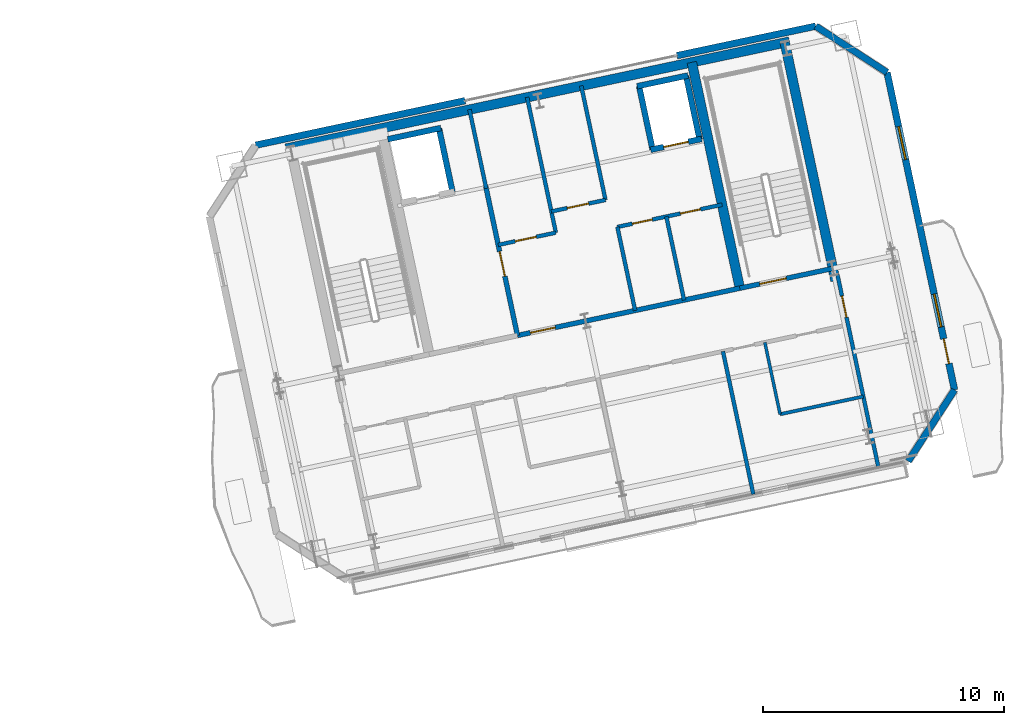
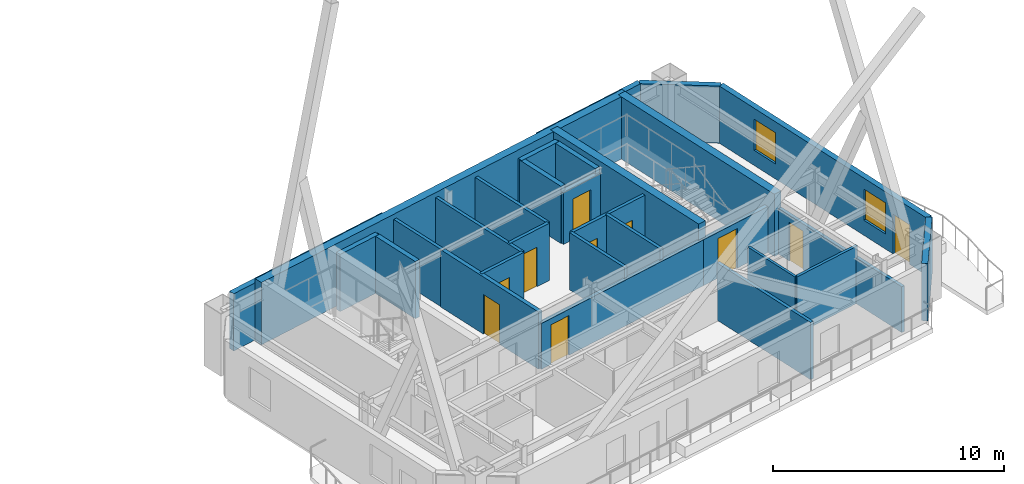
# One storey, part 13 of 19: 29 walls, 10 doors, 2 windows, 12 openings.
"""IFC4 building model written with IfcOpenShell, lengths in metres."""

import ifcopenshell
import ifcopenshell.guid

model = None  # the IFC model being written
_history = None  # IfcOwnerHistory: only IFC2X3 demands one
_inside = {}  # id of a spatial element -> (the spatial element, [elements in it])
_under = {}  # id of a project, library or spatial element -> (it, [spatial elements below it])
_declared = {}  # id of a project -> (the project, [libraries it declares])
_typed = {}  # id of a type object -> (the type object, [elements of that type])
_made_of = {}  # id of a material, layer set ... -> (it, [elements and type objects made of it])


def new_model(schema):
    """Start an empty IFC model of exactly this schema.

    Asked for "IFC4X3", IfcOpenShell would pick the latest addendum, in which some entities
    have other attributes; the version numbers below select the first issue.
    IFC2X3 requires an IfcOwnerHistory on every rooted entity: one is made here for all.
    """
    global model, _history
    if schema == "IFC4X3":
        model = ifcopenshell.file(schema_version=(4, 3, 0, 0))
    else:
        model = ifcopenshell.file(schema=schema)
    _inside.clear()
    _under.clear()
    _declared.clear()
    _typed.clear()
    _made_of.clear()
    _history = None
    if model.schema == "IFC2X3":
        org = make("IfcOrganization", Name="unknown")
        user = make(
            "IfcPersonAndOrganization",
            ThePerson=make("IfcPerson", FamilyName="unknown"),
            TheOrganization=org,
        )
        app = make(
            "IfcApplication",
            ApplicationDeveloper=org,
            Version="unknown",
            ApplicationFullName="unknown",
            ApplicationIdentifier="unknown",
        )
        _history = make(
            "IfcOwnerHistory",
            OwningUser=user,
            OwningApplication=app,
            ChangeAction="ADDED",
            CreationDate=0,
        )
    return model


def make(cls, **values):
    """One entity of the class cls with the attributes given. An attribute that is None is left unset."""
    return model.create_entity(
        cls, **{name: value for name, value in values.items() if value is not None}
    )


def rooted(cls, **values):
    """An entity with a GlobalId (a new one), such as an element, a storey or a relation."""
    return make(cls, GlobalId=ifcopenshell.guid.new(), OwnerHistory=_history, **values)


def si_unit(unit_type, name, prefix=None):
    """IfcSIUnit, for example si_unit("LENGTHUNIT", "METRE", prefix="MILLI")."""
    return make("IfcSIUnit", UnitType=unit_type, Prefix=prefix, Name=name)


def assignment(units):
    """IfcUnitAssignment: the units of a project."""
    return None if units is None else make("IfcUnitAssignment", Units=units)


def point(xyz):
    """IfcCartesianPoint."""
    return None if xyz is None else make("IfcCartesianPoint", Coordinates=xyz)


def direction(xyz):
    """IfcDirection."""
    return None if xyz is None else make("IfcDirection", DirectionRatios=xyz)


def frame(location, z_axis=None, x_axis=None):
    """IfcAxis2Placement3D, a coordinate frame: its origin and axes. An axis left out is left unset."""
    return make(
        "IfcAxis2Placement3D",
        Location=point(location),
        Axis=direction(z_axis),
        RefDirection=direction(x_axis),
    )


def frame_2d(location, x_axis=None):
    """IfcAxis2Placement2D, a coordinate frame in the plane: its origin and x axis."""
    return make(
        "IfcAxis2Placement2D", Location=point(location), RefDirection=direction(x_axis)
    )


def origin():
    """The frame at (0, 0, 0) with its axes left unset."""
    return frame((0.0, 0.0, 0.0))


def place(relative_to, where):
    """IfcLocalPlacement: puts the frame where relative to a parent placement (None: the world)."""
    return make(
        "IfcLocalPlacement", PlacementRelTo=relative_to, RelativePlacement=where
    )


def context(
    kind, dimensions, precision=None, world=None, true_north=None, identifier=None
):
    """IfcGeometricRepresentationContext, for example the 3D "Model" context."""
    return make(
        "IfcGeometricRepresentationContext",
        ContextIdentifier=identifier,
        ContextType=kind,
        CoordinateSpaceDimension=dimensions,
        Precision=precision,
        WorldCoordinateSystem=world,
        TrueNorth=true_north,
    )


def subcontext(parent, identifier, kind, view, scale=None):
    """IfcGeometricRepresentationSubContext, for example "Body" below "Model"."""
    return make(
        "IfcGeometricRepresentationSubContext",
        ContextIdentifier=identifier,
        ContextType=kind,
        ParentContext=parent,
        TargetScale=scale,
        TargetView=view,
    )


def project(units=None, contexts=None):
    """IfcProject with its units and contexts."""
    return rooted(
        "IfcProject",
        Name="project",
        RepresentationContexts=contexts,
        UnitsInContext=assignment(units),
    )


def spatial(cls, under=None, at=None, **own):
    """A site, building, storey or space (cls), placed at a placement, below another one or the project."""
    s = rooted(cls, ObjectPlacement=at, **own)
    if under is not None:
        _under.setdefault(under.id(), (under, []))[1].append(s)
    return s


def profile(cls, at=None, kind="AREA", **sizes):
    """A parametric profile (cls). Its sizes go by their IFC names, for example OverallWidth=200.0."""
    return make(cls, ProfileType=kind, Position=at, **sizes)


def rectangle(**sizes):
    """IfcRectangleProfileDef."""
    return profile("IfcRectangleProfileDef", **sizes)


def extrude(swept, where, along, depth):
    """IfcExtrudedAreaSolid: the profile swept, set in the frame where, extruded along a direction by depth."""
    return make(
        "IfcExtrudedAreaSolid",
        SweptArea=swept,
        Position=where,
        ExtrudedDirection=direction(along),
        Depth=depth,
    )


def shape(context_of_items, identifier, shape_type, items):
    """IfcShapeRepresentation: the items that make up one representation, for example the "Body"."""
    return make(
        "IfcShapeRepresentation",
        ContextOfItems=context_of_items,
        RepresentationIdentifier=identifier,
        RepresentationType=shape_type,
        Items=items,
    )


def material(Name=None, Category=None):
    """IfcMaterial."""
    return make("IfcMaterial", Name=Name, Category=Category)


def layer(
    of_material, thickness, ventilated=None, Name=None, Category=None, Priority=None
):
    """IfcMaterialLayer: one layer of a wall or slab, of a material (None: an air gap)."""
    return make(
        "IfcMaterialLayer",
        Material=of_material,
        LayerThickness=thickness,
        IsVentilated=ventilated,
        Name=Name,
        Category=Category,
        Priority=Priority,
    )


def layer_set(layers, Name=None):
    """IfcMaterialLayerSet."""
    return make("IfcMaterialLayerSet", MaterialLayers=layers, LayerSetName=Name)


def made_of(thing, what):
    """Note that an element or type object is made of a material, layer set ...; save() writes the relation."""
    if what is not None:
        _made_of.setdefault(what.id(), (what, []))[1].append(thing)
    return thing


def type_object(cls, material=None, **own):
    """A type object (cls), such as IfcWallType, which elements share."""
    return made_of(rooted(cls, **own), material)


def element(
    cls,
    number,
    at=None,
    inside=None,
    cuts=None,
    type_object=None,
    material=None,
    context=None,
    identifier="Body",
    shape_type=None,
    held_by="IfcProductDefinitionShape",
    body=None,
    shapes=None,
    **own,
):
    """One element of the class cls, such as IfcWall. Its Tag is "e" and its number.

    at: its placement. inside: the storey or other place that contains it. cuts: it is an
    opening in that element (IfcRelVoidsElement). A single representation is given by context,
    identifier, shape_type and body (its items); several are given by shapes. held_by: the class
    of the entity that holds the representations. save() writes the other relations.
    """
    e = rooted(cls, Tag="e%d" % number, ObjectPlacement=at, **own)
    if body is not None:
        shapes = [shape(context, identifier, shape_type, body)]
    if shapes is not None:
        e.Representation = make(held_by, Representations=shapes)
    if inside is not None:
        _inside.setdefault(inside.id(), (inside, []))[1].append(e)
    if cuts is not None:
        rooted(
            "IfcRelVoidsElement", RelatingBuildingElement=cuts, RelatedOpeningElement=e
        )
    if type_object is not None:
        _typed.setdefault(type_object.id(), (type_object, []))[1].append(e)
    return made_of(e, material)


def fill(opening, filler):
    """IfcRelFillsElement: the door or window that sits in an opening."""
    return rooted(
        "IfcRelFillsElement",
        RelatingOpeningElement=opening,
        RelatedBuildingElement=filler,
    )


def aggregate(whole, parts):
    """IfcRelAggregates: a whole, such as a stair, and the parts it consists of."""
    return rooted("IfcRelAggregates", RelatingObject=whole, RelatedObjects=parts)


def save(model, path):
    """Write the relations noted so far, then the file.

    IfcRelAggregates (storeys below a building ...), IfcRelContainedInSpatialStructure (elements
    in a storey), IfcRelDefinesByType, IfcRelAssociatesMaterial and IfcRelDeclares: one each for
    every whole, place, type object, material and project.
    """
    for whole, parts in _under.values():
        aggregate(whole, parts)
    for where, things in _inside.values():
        rooted(
            "IfcRelContainedInSpatialStructure",
            RelatedElements=things,
            RelatingStructure=where,
        )
    for kind, things in _typed.values():
        rooted("IfcRelDefinesByType", RelatedObjects=things, RelatingType=kind)
    for what, things in _made_of.values():
        rooted("IfcRelAssociatesMaterial", RelatedObjects=things, RelatingMaterial=what)
    for by, libraries in _declared.values():
        rooted("IfcRelDeclares", RelatingContext=by, RelatedDefinitions=libraries)
    model.write(path)


model = new_model("IFC4")

# Units and contexts
model_context = context("Model", 3, precision=1e-05, world=origin(), true_north=direction((0.0, 1.0)))
body_context = subcontext(model_context, "Body", "Model", "MODEL_VIEW")
ifc_project = project(units=[si_unit("LENGTHUNIT", "METRE"), si_unit("AREAUNIT", "SQUARE_METRE"), si_unit("VOLUMEUNIT", "CUBIC_METRE"), si_unit("PLANEANGLEUNIT", "RADIAN"), si_unit("MASSUNIT", "GRAM", prefix="KILO")], contexts=[model_context])

# Site, building, storey
site_placement = place(None, origin())
site = spatial("IfcSite", under=ifc_project, at=site_placement, CompositionType="ELEMENT")
building_placement = place(site_placement, origin())
building = spatial("IfcBuilding", under=site, at=building_placement, Name="Haevon Station Towers", CompositionType="ELEMENT")
storey_placement = place(building_placement, frame((0.0, 0.0, 218.699951171875)))
storey = spatial("IfcBuildingStorey", under=building, at=storey_placement, Name="L60", CompositionType="ELEMENT", Elevation=218.699951171875)

# Wall, opening, door
ifc_material_1 = material(Name="Gypsum board on steel stud", Category="steel")
ifc_layer_1 = layer(ifc_material_1, 0.199951171875)
ifc_layer_set_1 = layer_set([ifc_layer_1], Name="Gypsum board on steel stud")
wall_type_1 = type_object("IfcWallType", Name="WL-COR200", PredefinedType="PARTITIONING", material=ifc_layer_set_1)
wall_1_placement = place(storey_placement, frame((115.4296875, 40.9873046875, 0.0), z_axis=(0.0, 0.0, 1.0), x_axis=(0.978146596989, 0.207916413008, 0.0)))
wall_1 = element("IfcWall", 1, at=wall_1_placement, inside=storey, type_object=wall_type_1, Name="WL-ST-ST4-L60", PredefinedType="PARTITIONING", context=body_context, shape_type="SweptSolid", body=[
    extrude(rectangle(XDim=3.9501953125, YDim=0.199951171875, at=frame_2d((1.97509765625, 0.0))), origin(), (0.0, 0.0, 1.0), 2.429931640625),
])
opening_1_placement = place(wall_1_placement, frame((0.85009765625, 0.0, 0.0)))
opening_1 = element("IfcOpeningElement", 2, at=opening_1_placement, cuts=wall_1, Name="Opening DR-ST-ST4-L60", PredefinedType="OPENING", context=body_context, shape_type="SweptSolid", body=[
    extrude(rectangle(XDim=1.1201171875, YDim=2.10009765625, at=frame_2d((0.56005859375, 1.050048828125))), frame((0.0, 0.10986328125, 0.0), z_axis=(0.0, -1.0, 0.0), x_axis=(1.0, 0.0, 0.0)), (0.0, 0.0, 1.0), 0.219970703125),
])
ifc_material_2 = material(Name="Engineered oak timber", Category="wood")
door_type_1 = type_object("IfcDoorType", Name="DR-ST-1120", OperationType="NOTDEFINED", PredefinedType="DOOR", material=ifc_material_2)
door_1_placement = place(opening_1_placement, origin())
door_1 = element("IfcDoor", 3, at=door_1_placement, inside=storey, type_object=door_type_1, Name="L60 Escape Stair ST4 Fire Door", OperationType="SINGLE_SWING_RIGHT", OverallHeight=2.10009765625, OverallWidth=1.1201171875, PredefinedType="DOOR", context=body_context, shape_type="SweptSolid", body=[
    extrude(rectangle(XDim=1.1201171875, YDim=2.10009765625, at=frame_2d((0.56005859375, 1.050048828125))), frame((0.0, 0.02490234375, 0.0), z_axis=(0.0, -1.0, 0.0), x_axis=(1.0, 0.0, 0.0)), (0.0, 0.0, 1.0), 0.050048828125),
])
fill(opening_1, door_1)

wall_2_placement = place(storey_placement, frame((106.186279296875, 39.0224609375, 0.0), z_axis=(0.0, 0.0, 1.0), x_axis=(-0.207916691923, 0.978146537703, 0.0)))
wall_2 = element("IfcWall", 4, at=wall_2_placement, inside=storey, type_object=wall_type_1, Name="WL-T2FFL-L60-E", PredefinedType="PARTITIONING", context=body_context, shape_type="SweptSolid", body=[
    extrude(rectangle(XDim=6.35009765625, YDim=0.199951171875, at=frame_2d((3.175048828125, 0.0))), origin(), (0.0, 0.0, 1.0), 3.030029296875),
])
opening_2_placement = place(wall_2_placement, frame((2.52001953125, 0.0, 0.0)))
opening_2 = element("IfcOpeningElement", 5, at=opening_2_placement, cuts=wall_2, Name="Opening DR-T2FFL-L60-E", PredefinedType="OPENING", context=body_context, shape_type="SweptSolid", body=[
    extrude(rectangle(XDim=1.050048828125, YDim=2.10009765625, at=frame_2d((0.52490234375, 1.050048828125))), frame((0.0, 0.10986328125, 0.0), z_axis=(0.0, -1.0, 0.0), x_axis=(1.0, 0.0, 0.0)), (0.0, 0.0, 1.0), 0.219970703125),
])
door_type_2 = type_object("IfcDoorType", Name="DR-FD60-1050", OperationType="NOTDEFINED", PredefinedType="DOOR", material=ifc_material_2)
door_2_placement = place(opening_2_placement, origin())
door_2 = element("IfcDoor", 6, at=door_2_placement, inside=storey, type_object=door_type_2, Name="L60 Tower 2 Firefighting Lift Lobby Door E", OperationType="SINGLE_SWING_LEFT", OverallHeight=2.10009765625, OverallWidth=1.050048828125, PredefinedType="DOOR", context=body_context, shape_type="SweptSolid", body=[
    extrude(rectangle(XDim=1.050048828125, YDim=2.10009765625, at=frame_2d((0.52490234375, 1.050048828125))), frame((0.0, 0.02490234375, 0.0), z_axis=(0.0, -1.0, 0.0), x_axis=(1.0, 0.0, 0.0)), (0.0, 0.0, 1.0), 0.050048828125),
])
fill(opening_2, door_2)

wall_3_placement = place(storey_placement, frame((106.186279296875, 39.0224609375, 0.0), z_axis=(0.0, 0.0, 1.0), x_axis=(0.978145519981, 0.20792147975, 0.0)))
wall_3 = element("IfcWall", 7, at=wall_3_placement, inside=storey, type_object=wall_type_1, Name="WL-T2CLB-L60", PredefinedType="PARTITIONING", context=body_context, shape_type="SweptSolid", body=[
    extrude(rectangle(XDim=9.449951171875, YDim=0.199951171875, at=frame_2d((4.72509765625, 0.0))), origin(), (0.0, 0.0, 1.0), 2.429931640625),
])
opening_3_placement = place(wall_3_placement, frame((0.550048828125, 0.0, 0.0)))
opening_3 = element("IfcOpeningElement", 8, at=opening_3_placement, cuts=wall_3, Name="Opening DR-T2CLB-L60-1", PredefinedType="OPENING", context=body_context, shape_type="SweptSolid", body=[
    extrude(rectangle(XDim=1.050048828125, YDim=2.10009765625, at=frame_2d((0.52490234375, 1.050048828125))), frame((0.0, 0.10986328125, 0.0), z_axis=(0.0, -1.0, 0.0), x_axis=(1.0, 0.0, 0.0)), (0.0, 0.0, 1.0), 0.219970703125),
])
door_3_placement = place(opening_3_placement, origin())
door_3 = element("IfcDoor", 9, at=door_3_placement, inside=storey, type_object=door_type_2, Name="L60 Tower 2 Core Lift Lobby Door 1", OperationType="SINGLE_SWING_LEFT", OverallHeight=2.10009765625, OverallWidth=1.050048828125, PredefinedType="DOOR", context=body_context, shape_type="SweptSolid", body=[
    extrude(rectangle(XDim=1.050048828125, YDim=2.10009765625, at=frame_2d((0.52490234375, 1.050048828125))), frame((0.0, 0.02490234375, 0.0), z_axis=(0.0, -1.0, 0.0), x_axis=(1.0, 0.0, 0.0)), (0.0, 0.0, 1.0), 0.050048828125),
])
fill(opening_3, door_3)

# Walls
ifc_material_3 = material(Name="Concrete C60/75", Category="concrete")
ifc_layer_2 = layer(ifc_material_3, 0.39990234375)
ifc_layer_set_2 = layer_set([ifc_layer_2], Name="Concrete C60/75")
wall_type_2 = type_object("IfcWallType", Name="WL-CR400", PredefinedType="SHEAR", material=ifc_layer_set_2)
wall_4_placement = place(storey_placement, frame((96.560791015625, 46.791015625, 0.0), z_axis=(0.0, 0.0, 1.0), x_axis=(0.978148498705, 0.207907466152, 0.0)))
element("IfcWall", 10, at=wall_4_placement, inside=storey, type_object=wall_type_2, Name="WL-T2CR-L60-N", PredefinedType="SHEAR", context=body_context, shape_type="SweptSolid", body=[
    extrude(rectangle(XDim=21.39990234375, YDim=0.39990234375, at=frame_2d((10.699951171875, 0.0))), origin(), (0.0, 0.0, 1.0), 3.300048828125),
])
wall_5_placement = place(storey_placement, frame((119.401611328125, 41.2998046875, 0.0), z_axis=(0.0, 0.0, 1.0), x_axis=(-0.207904342798, 0.978149162575, 0.0)))
element("IfcWall", 11, at=wall_5_placement, inside=storey, type_object=wall_type_2, Name="WL-T2CR-L60-E", PredefinedType="SHEAR", context=body_context, shape_type="SweptSolid", body=[
    extrude(rectangle(XDim=10.1201171875, YDim=0.39990234375, at=frame_2d((5.06005859375, 0.0))), origin(), (0.0, 0.0, 1.0), 3.300048828125),
])
wall_6_placement = place(storey_placement, frame((115.4296875, 40.9873046875, 0.0), z_axis=(0.0, 0.0, 1.0), x_axis=(-0.207903162969, 0.978149413345, 0.0)))
element("IfcWall", 12, at=wall_6_placement, inside=storey, type_object=wall_type_2, Name="WL-T2CR-L60-M2", PredefinedType="SHEAR", context=body_context, shape_type="SweptSolid", body=[
    extrude(rectangle(XDim=9.599853515625, YDim=0.39990234375, at=frame_2d((4.7998046875, 0.0))), origin(), (0.0, 0.0, 1.0), 3.300048828125),
])
ifc_material_4 = material(Name="Precast concrete C45/55", Category="concrete")
ifc_layer_3 = layer(ifc_material_4, 0.280029296875)
ifc_layer_set_3 = layer_set([ifc_layer_3], Name="Precast concrete C45/55")
wall_type_3 = type_object("IfcWallType", Name="WL-EXT-PIER280", PredefinedType="SOLIDWALL", material=ifc_layer_set_3)
wall_7_placement = place(storey_placement, frame((95.3037109375, 46.932861328125, 0.0), z_axis=(0.0, 0.0, 1.0), x_axis=(0.97814950791, 0.207902718056, 0.0)))
element("IfcWall", 13, at=wall_7_placement, inside=storey, type_object=wall_type_3, Name="WL-T2-L60-N1", PredefinedType="SOLIDWALL", context=body_context, shape_type="SweptSolid", body=[
    extrude(rectangle(XDim=8.900146484375, YDim=0.280029296875, at=frame_2d((4.4501953125, 0.0))), origin(), (0.0, 0.0, 1.0), 3.030029296875),
])
wall_8_placement = place(storey_placement, frame((112.812744140625, 50.654541015625, 0.0), z_axis=(0.0, 0.0, 1.0), x_axis=(0.978151067813, 0.207895378826, 0.0)))
element("IfcWall", 14, at=wall_8_placement, inside=storey, type_object=wall_type_3, Name="WL-T2-L60-N2", PredefinedType="SOLIDWALL", context=body_context, shape_type="SweptSolid", body=[
    extrude(rectangle(XDim=5.89990234375, YDim=0.280029296875, at=frame_2d((2.949951171875, 0.0))), origin(), (0.0, 0.0, 1.0), 3.030029296875),
])
wall_9_placement = place(storey_placement, frame((118.583740234375, 51.881103515625, 0.0), z_axis=(0.0, 0.0, 1.0), x_axis=(0.838672309694, -0.544636352948, 0.0)))
element("IfcWall", 15, at=wall_9_placement, inside=storey, type_object=wall_type_3, Name="WL-T2-L60-NEC", PredefinedType="SOLIDWALL", context=body_context, shape_type="SweptSolid", body=[
    extrude(rectangle(XDim=3.535400390625, YDim=0.280029296875, at=frame_2d((1.767578125, 0.0))), origin(), (0.0, 0.0, 1.0), 3.030029296875),
])

# Wall, openings, door, windows
wall_10_placement = place(storey_placement, frame((121.548828125, 49.95556640625, 0.0), z_axis=(0.0, 0.0, 1.0), x_axis=(0.207907239961, -0.978148546782, 0.0)))
wall_10 = element("IfcWall", 16, at=wall_10_placement, inside=storey, type_object=wall_type_3, Name="WL-T2-L60-E", PredefinedType="SOLIDWALL", context=body_context, shape_type="SweptSolid", body=[
    extrude(rectangle(XDim=13.489990234375, YDim=0.280029296875, at=frame_2d((6.7451171875, 0.0))), origin(), (0.0, 0.0, 1.0), 3.030029296875),
])
opening_4_placement = place(wall_10_placement, frame((11.320068359375, 0.0, 0.0)))
opening_4 = element("IfcOpeningElement", 17, at=opening_4_placement, cuts=wall_10, Name="Opening DR-T2-SCAL-L60-E", PredefinedType="OPENING", context=body_context, shape_type="SweptSolid", body=[
    extrude(rectangle(XDim=1.050048828125, YDim=2.10009765625, at=frame_2d((0.52490234375, 1.050048828125))), frame((0.0, 0.14990234375, 0.0), z_axis=(0.0, -1.0, 0.0), x_axis=(1.0, 0.0, 0.0)), (0.0, 0.0, 1.0), 0.300048828125),
])
opening_5_placement = place(wall_10_placement, frame((2.298583984375, 0.0, 0.800048828125)))
opening_5 = element("IfcOpeningElement", 18, at=opening_5_placement, cuts=wall_10, Name="Opening WN-END140", PredefinedType="OPENING", context=body_context, shape_type="SweptSolid", body=[
    extrude(rectangle(XDim=1.39990234375, YDim=1.64990234375, at=frame_2d((0.699951171875, 0.824951171875))), frame((0.0, 0.14990234375, 0.0), z_axis=(0.0, -1.0, 0.0), x_axis=(1.0, 0.0, 0.0)), (0.0, 0.0, 1.0), 0.300048828125),
])
opening_6_placement = place(wall_10_placement, frame((9.416748046875, 0.0, 0.800048828125)))
opening_6 = element("IfcOpeningElement", 19, at=opening_6_placement, cuts=wall_10, Name="Opening WN-END140", PredefinedType="OPENING", context=body_context, shape_type="SweptSolid", body=[
    extrude(rectangle(XDim=1.39990234375, YDim=1.64990234375, at=frame_2d((0.699951171875, 0.824951171875))), frame((0.0, 0.14990234375, 0.0), z_axis=(0.0, -1.0, 0.0), x_axis=(1.0, 0.0, 0.0)), (0.0, 0.0, 1.0), 0.300048828125),
])
ifc_material_5 = material(Name="Thermally broken anodised aluminium and laminated safety glass", Category="aluminium")
door_type_3 = type_object("IfcDoorType", Name="DR-BALC-1050", OperationType="NOTDEFINED", PredefinedType="DOOR", material=ifc_material_5)
door_4_placement = place(opening_4_placement, origin())
door_4 = element("IfcDoor", 20, at=door_4_placement, inside=storey, type_object=door_type_3, Name="Tower 2 L60 East Scalloped Balcony Door", OperationType="SINGLE_SWING_LEFT", OverallHeight=2.10009765625, OverallWidth=1.050048828125, PredefinedType="DOOR", context=body_context, shape_type="SweptSolid", body=[
    extrude(rectangle(XDim=1.050048828125, YDim=2.10009765625, at=frame_2d((0.52490234375, 1.050048828125))), frame((0.0, 0.02490234375, 0.0), z_axis=(0.0, -1.0, 0.0), x_axis=(1.0, 0.0, 0.0)), (0.0, 0.0, 1.0), 0.050048828125),
])
fill(opening_4, door_4)
ifc_material_6 = material(Name="Low-E triple glazing in thermally broken aluminium", Category="aluminium")
window_type = type_object("IfcWindowType", Name="WN-END140", PartitioningType="SINGLE_PANEL", PredefinedType="WINDOW", material=ifc_material_6)
window_1_placement = place(opening_5_placement, origin())
window_1 = element("IfcWindow", 21, at=window_1_placement, inside=storey, type_object=window_type, Name="WN-T2-L60-E01", OverallHeight=1.64990234375, OverallWidth=1.39990234375, PartitioningType="SINGLE_PANEL", PredefinedType="WINDOW", context=body_context, shape_type="SweptSolid", body=[
    extrude(rectangle(XDim=1.39990234375, YDim=1.64990234375, at=frame_2d((0.699951171875, 0.824951171875))), frame((0.0, 0.030029296875, 0.0), z_axis=(0.0, -1.0, 0.0), x_axis=(1.0, 0.0, 0.0)), (0.0, 0.0, 1.0), 0.06005859375),
])
fill(opening_5, window_1)
window_2_placement = place(opening_6_placement, origin())
window_2 = element("IfcWindow", 22, at=window_2_placement, inside=storey, type_object=window_type, Name="WN-T2-L60-E02", OverallHeight=1.64990234375, OverallWidth=1.39990234375, PartitioningType="SINGLE_PANEL", PredefinedType="WINDOW", context=body_context, shape_type="SweptSolid", body=[
    extrude(rectangle(XDim=1.39990234375, YDim=1.64990234375, at=frame_2d((0.699951171875, 0.824951171875))), frame((0.0, 0.030029296875, 0.0), z_axis=(0.0, -1.0, 0.0), x_axis=(1.0, 0.0, 0.0)), (0.0, 0.0, 1.0), 0.06005859375),
])
fill(opening_6, window_2)

# Walls
wall_11_placement = place(storey_placement, frame((124.353515625, 36.76025390625, 0.0), z_axis=(0.0, 0.0, 1.0), x_axis=(-0.544636352948, -0.838672309694, 0.0)))
element("IfcWall", 23, at=wall_11_placement, inside=storey, type_object=wall_type_3, Name="WL-T2-L60-SEC", PredefinedType="SOLIDWALL", context=body_context, shape_type="SweptSolid", body=[
    extrude(rectangle(XDim=3.535400390625, YDim=0.280029296875, at=frame_2d((1.767578125, 0.0))), origin(), (0.0, 0.0, 1.0), 3.030029296875),
])
ifc_layer_4 = layer(ifc_material_1, 0.125)
ifc_layer_set_4 = layer_set([ifc_layer_4], Name="Gypsum board on steel stud")
wall_type_4 = type_object("IfcWallType", Name="WL-PRT125", PredefinedType="PARTITIONING", material=ifc_layer_set_4)
wall_12_placement = place(storey_placement, frame((117.1025390625, 35.750732421875, 0.0), z_axis=(0.0, 0.0, 1.0), x_axis=(-0.207877902534, 0.978154782045, 0.0)))
element("IfcWall", 24, at=wall_12_placement, inside=storey, type_object=wall_type_4, Name="WL-T2PT-L60-11", PredefinedType="PARTITIONING", context=body_context, shape_type="SweptSolid", body=[
    extrude(rectangle(XDim=3.050048828125, YDim=0.125, at=frame_2d((1.52490234375, 0.0))), origin(), (0.0, 0.0, 1.0), 3.030029296875),
])
ifc_layer_5 = layer(ifc_material_1, 0.139892578125)
ifc_layer_set_5 = layer_set([ifc_layer_5], Name="Gypsum board on steel stud")
wall_type_5 = type_object("IfcWallType", Name="WL-PRT140", PredefinedType="PARTITIONING", material=ifc_layer_set_5)
wall_13_placement = place(storey_placement, frame((117.1025390625, 35.750732421875, 0.0), z_axis=(0.0, 0.0, 1.0), x_axis=(0.978155518159, 0.207874438771, 0.0)))
element("IfcWall", 25, at=wall_13_placement, inside=storey, type_object=wall_type_5, Name="WL-T2PT-L60-10", PredefinedType="PARTITIONING", context=body_context, shape_type="SweptSolid", body=[
    extrude(rectangle(XDim=3.53759765625, YDim=0.139892578125, at=frame_2d((1.768798828125, 0.0))), origin(), (0.0, 0.0, 1.0), 3.030029296875),
])
ifc_layer_6 = layer(ifc_material_1, 0.159912109375)
ifc_layer_set_6 = layer_set([ifc_layer_6], Name="Gypsum board on steel stud")
wall_type_6 = type_object("IfcWallType", Name="WL-PRT160", PredefinedType="PARTITIONING", material=ifc_layer_set_6)
wall_14_placement = place(storey_placement, frame((104.88671875, 45.135986328125, 0.0), z_axis=(0.0, 0.0, 1.0), x_axis=(-0.207846553267, 0.978161443881, 0.0)))
element("IfcWall", 26, at=wall_14_placement, inside=storey, type_object=wall_type_6, Name="WL-T2CW-L60-01", PredefinedType="PARTITIONING", context=body_context, shape_type="SweptSolid", body=[
    extrude(rectangle(XDim=3.35009765625, YDim=0.159912109375, at=frame_2d((1.675048828125, 0.0))), origin(), (0.0, 0.0, 1.0), 3.030029296875),
])

# Wall, opening, door
wall_15_placement = place(storey_placement, frame((105.3857421875, 42.788330078125, 0.0), z_axis=(0.0, 0.0, 1.0), x_axis=(0.978136559131, 0.207963630695, 0.0)))
wall_15 = element("IfcWall", 27, at=wall_15_placement, inside=storey, type_object=wall_type_6, Name="WL-T2CW-L60-02", PredefinedType="PARTITIONING", context=body_context, shape_type="SweptSolid", body=[
    extrude(rectangle(XDim=2.449951171875, YDim=0.159912109375, at=frame_2d((1.22509765625, 0.0))), origin(), (0.0, 0.0, 1.0), 3.030029296875),
])
opening_7_placement = place(wall_15_placement, frame((0.719970703125, 0.0, 0.0)))
opening_7 = element("IfcOpeningElement", 28, at=opening_7_placement, cuts=wall_15, Name="Opening DR-WL-T2CW-L60-02-1", PredefinedType="OPENING", context=body_context, shape_type="SweptSolid", body=[
    extrude(rectangle(XDim=0.89990234375, YDim=2.10009765625, at=frame_2d((0.449951171875, 1.050048828125))), frame((0.0, 0.08984375, 0.0), z_axis=(0.0, -1.0, 0.0), x_axis=(1.0, 0.0, 0.0)), (0.0, 0.0, 1.0), 0.179931640625),
])
door_type_4 = type_object("IfcDoorType", Name="DR-FD60-900", OperationType="NOTDEFINED", PredefinedType="DOOR", material=ifc_material_2)
door_5_placement = place(opening_7_placement, origin())
door_5 = element("IfcDoor", 29, at=door_5_placement, inside=storey, type_object=door_type_4, Name="L60 Tower 2 Core Room Door 2-1", OperationType="SINGLE_SWING_RIGHT", OverallHeight=2.10009765625, OverallWidth=0.89990234375, PredefinedType="DOOR", context=body_context, shape_type="SweptSolid", body=[
    extrude(rectangle(XDim=0.89990234375, YDim=2.10009765625, at=frame_2d((0.449951171875, 1.050048828125))), frame((0.0, 0.02490234375, 0.0), z_axis=(0.0, -1.0, 0.0), x_axis=(1.0, 0.0, 0.0)), (0.0, 0.0, 1.0), 0.050048828125),
])
fill(opening_7, door_5)

# Wall
wall_16_placement = place(storey_placement, frame((107.7822265625, 43.2978515625, 0.0), z_axis=(0.0, 0.0, 1.0), x_axis=(-0.207925279174, 0.978144712341, 0.0)))
element("IfcWall", 30, at=wall_16_placement, inside=storey, type_object=wall_type_6, Name="WL-T2CW-L60-03", PredefinedType="PARTITIONING", context=body_context, shape_type="SweptSolid", body=[
    extrude(rectangle(XDim=5.75, YDim=0.159912109375, at=frame_2d((2.875, 0.0))), origin(), (0.0, 0.0, 1.0), 3.030029296875),
])

# Wall, opening, door
wall_17_placement = place(storey_placement, frame((107.59521484375, 44.17822265625, 0.0), z_axis=(0.0, 0.0, 1.0), x_axis=(0.978162897375, 0.207839712757, 0.0)))
wall_17 = element("IfcWall", 31, at=wall_17_placement, inside=storey, type_object=wall_type_6, Name="WL-T2CW-L60-04", PredefinedType="PARTITIONING", context=body_context, shape_type="SweptSolid", body=[
    extrude(rectangle(XDim=2.300048828125, YDim=0.159912109375, at=frame_2d((1.14990234375, 0.0))), origin(), (0.0, 0.0, 1.0), 3.030029296875),
])
opening_8_placement = place(wall_17_placement, frame((0.679931640625, 0.0, 0.0)))
opening_8 = element("IfcOpeningElement", 32, at=opening_8_placement, cuts=wall_17, Name="Opening DR-WL-T2CW-L60-04-1", PredefinedType="OPENING", context=body_context, shape_type="SweptSolid", body=[
    extrude(rectangle(XDim=0.89990234375, YDim=2.10009765625, at=frame_2d((0.449951171875, 1.050048828125))), frame((0.0, 0.08984375, 0.0), z_axis=(0.0, -1.0, 0.0), x_axis=(1.0, 0.0, 0.0)), (0.0, 0.0, 1.0), 0.179931640625),
])
door_6_placement = place(opening_8_placement, origin())
door_6 = element("IfcDoor", 33, at=door_6_placement, inside=storey, type_object=door_type_4, Name="L60 Tower 2 Core Room Door 4-1", OperationType="SINGLE_SWING_LEFT", OverallHeight=2.10009765625, OverallWidth=0.89990234375, PredefinedType="DOOR", context=body_context, shape_type="SweptSolid", body=[
    extrude(rectangle(XDim=0.89990234375, YDim=2.10009765625, at=frame_2d((0.449951171875, 1.050048828125))), frame((0.0, 0.02490234375, 0.0), z_axis=(0.0, -1.0, 0.0), x_axis=(1.0, 0.0, 0.0)), (0.0, 0.0, 1.0), 0.050048828125),
])
fill(opening_8, door_6)

# Walls
wall_18_placement = place(storey_placement, frame((109.844970703125, 44.65625, 0.0), z_axis=(0.0, 0.0, 1.0), x_axis=(-0.207940630195, 0.978141449032, 0.0)))
element("IfcWall", 34, at=wall_18_placement, inside=storey, type_object=wall_type_6, Name="WL-T2CW-L60-05", PredefinedType="PARTITIONING", context=body_context, shape_type="SweptSolid", body=[
    extrude(rectangle(XDim=4.85009765625, YDim=0.159912109375, at=frame_2d((2.425048828125, 0.0))), origin(), (0.0, 0.0, 1.0), 3.030029296875),
])
for number, where, z_axis, x_axis, name in (
    (35, (111.076904296875, 40.06201171875, 0.0), (0.0, 0.0, 1.0), (-0.207899058817, 0.978150285663, 0.0), "WL-T2CW-L60-06"),
    (36, (113.111572265625, 40.49462890625, 0.0), (0.0, 0.0, 1.0), (-0.207899058817, 0.978150285663, 0.0), "WL-T2CW-L60-07"),
):
    element("IfcWall", number, at=place(storey_placement, frame(where, z_axis=z_axis, x_axis=x_axis)), inside=storey, type_object=wall_type_6, Name=name, PredefinedType="PARTITIONING", context=body_context, shape_type="SweptSolid", body=[
        extrude(rectangle(XDim=3.550048828125, YDim=0.159912109375, at=frame_2d((1.77490234375, 0.0))), origin(), (0.0, 0.0, 1.0), 3.030029296875),
    ])

# Wall, openings, doors
wall_19_placement = place(storey_placement, frame((110.3388671875, 43.534423828125, 0.0), z_axis=(0.0, 0.0, 1.0), x_axis=(0.978143929138, 0.207928963567, 0.0)))
wall_19 = element("IfcWall", 37, at=wall_19_placement, inside=storey, type_object=wall_type_6, Name="WL-T2CW-L60-08", PredefinedType="PARTITIONING", context=body_context, shape_type="SweptSolid", body=[
    extrude(rectangle(XDim=4.449951171875, YDim=0.159912109375, at=frame_2d((2.22509765625, 0.0))), origin(), (0.0, 0.0, 1.0), 3.030029296875),
])
opening_9_placement = place(wall_19_placement, frame((0.635009765625, 0.0, 0.0)))
opening_9 = element("IfcOpeningElement", 38, at=opening_9_placement, cuts=wall_19, Name="Opening DR-WL-T2CW-L60-08-1", PredefinedType="OPENING", context=body_context, shape_type="SweptSolid", body=[
    extrude(rectangle(XDim=0.85009765625, YDim=2.050048828125, at=frame_2d((0.425048828125, 1.02490234375))), frame((0.0, 0.08984375, 0.0), z_axis=(0.0, -1.0, 0.0), x_axis=(1.0, 0.0, 0.0)), (0.0, 0.0, 1.0), 0.179931640625),
])
opening_10_placement = place(wall_19_placement, frame((2.679931640625, 0.0, 0.0)))
opening_10 = element("IfcOpeningElement", 39, at=opening_10_placement, cuts=wall_19, Name="Opening DR-WL-T2CW-L60-08-2", PredefinedType="OPENING", context=body_context, shape_type="SweptSolid", body=[
    extrude(rectangle(XDim=0.85009765625, YDim=2.050048828125, at=frame_2d((0.425048828125, 1.02490234375))), frame((0.0, 0.08984375, 0.0), z_axis=(0.0, -1.0, 0.0), x_axis=(1.0, 0.0, 0.0)), (0.0, 0.0, 1.0), 0.179931640625),
])
door_type_5 = type_object("IfcDoorType", Name="DR-FD30-850", OperationType="NOTDEFINED", PredefinedType="DOOR", material=ifc_material_2)
door_7_placement = place(opening_9_placement, origin())
door_7 = element("IfcDoor", 40, at=door_7_placement, inside=storey, type_object=door_type_5, Name="L60 Tower 2 Core Room Door 8-1", OperationType="SINGLE_SWING_RIGHT", OverallHeight=2.050048828125, OverallWidth=0.85009765625, PredefinedType="DOOR", context=body_context, shape_type="SweptSolid", body=[
    extrude(rectangle(XDim=0.85009765625, YDim=2.050048828125, at=frame_2d((0.425048828125, 1.02490234375))), frame((0.0, 0.02490234375, 0.0), z_axis=(0.0, -1.0, 0.0), x_axis=(1.0, 0.0, 0.0)), (0.0, 0.0, 1.0), 0.050048828125),
])
fill(opening_9, door_7)
door_8_placement = place(opening_10_placement, origin())
door_8 = element("IfcDoor", 41, at=door_8_placement, inside=storey, type_object=door_type_5, Name="L60 Tower 2 Core Room Door 8-2", OperationType="SINGLE_SWING_LEFT", OverallHeight=2.050048828125, OverallWidth=0.85009765625, PredefinedType="DOOR", context=body_context, shape_type="SweptSolid", body=[
    extrude(rectangle(XDim=0.85009765625, YDim=2.050048828125, at=frame_2d((0.425048828125, 1.02490234375))), frame((0.0, 0.02490234375, 0.0), z_axis=(0.0, -1.0, 0.0), x_axis=(1.0, 0.0, 0.0)), (0.0, 0.0, 1.0), 0.050048828125),
])
fill(opening_10, door_8)

# Wall, opening, door
wall_20_placement = place(storey_placement, frame((121.190673828125, 33.5322265625, 0.0), z_axis=(0.0, 0.0, 1.0), x_axis=(-0.207922572799, 0.978145287634, 0.0)))
wall_20 = element("IfcWall", 42, at=wall_20_placement, inside=storey, type_object=wall_type_6, Name="WL-T2PT-L60-02", PredefinedType="PARTITIONING", context=body_context, shape_type="SweptSolid", body=[
    extrude(rectangle(XDim=8.18994140625, YDim=0.159912109375, at=frame_2d((4.094970703125, 0.0))), origin(), (0.0, 0.0, 1.0), 2.429931640625),
])
opening_11_placement = place(wall_20_placement, frame((6.389892578125, 0.0, 0.0)))
opening_11 = element("IfcOpeningElement", 43, at=opening_11_placement, cuts=wall_20, Name="Opening DR-WL-T2PT-L60-02-01", PredefinedType="OPENING", context=body_context, shape_type="SweptSolid", body=[
    extrude(rectangle(XDim=0.89990234375, YDim=2.050048828125, at=frame_2d((0.449951171875, 1.02490234375))), frame((0.0, 0.08984375, 0.0), z_axis=(0.0, -1.0, 0.0), x_axis=(1.0, 0.0, 0.0)), (0.0, 0.0, 1.0), 0.179931640625),
])
door_type_6 = type_object("IfcDoorType", Name="DR-INT-900", OperationType="NOTDEFINED", PredefinedType="DOOR", material=ifc_material_2)
door_9_placement = place(opening_11_placement, origin())
door_9 = element("IfcDoor", 44, at=door_9_placement, inside=storey, type_object=door_type_6, Name="L60 Tower 2 Room Door 2-1", OperationType="SINGLE_SWING_LEFT", OverallHeight=2.050048828125, OverallWidth=0.89990234375, PredefinedType="DOOR", context=body_context, shape_type="SweptSolid", body=[
    extrude(rectangle(XDim=0.89990234375, YDim=2.050048828125, at=frame_2d((0.449951171875, 1.02490234375))), frame((0.0, 0.02490234375, 0.0), z_axis=(0.0, -1.0, 0.0), x_axis=(1.0, 0.0, 0.0)), (0.0, 0.0, 1.0), 0.050048828125),
])
fill(opening_11, door_9)

# Walls
wall_21_placement = place(storey_placement, frame((115.9892578125, 32.426513671875, 0.0), z_axis=(0.0, 0.0, 1.0), x_axis=(-0.207897237954, 0.978150672673, 0.0)))
element("IfcWall", 45, at=wall_21_placement, inside=storey, type_object=wall_type_6, Name="WL-T2PT-L60-09", PredefinedType="PARTITIONING", context=body_context, shape_type="SweptSolid", body=[
    extrude(rectangle(XDim=6.070068359375, YDim=0.159912109375, at=frame_2d((3.03515625, 0.0))), origin(), (0.0, 0.0, 1.0), 3.030029296875),
])
ifc_material_7 = material(Name="Concrete C40/50", Category="concrete")
ifc_layer_7 = layer(ifc_material_7, 0.239990234375)
ifc_layer_set_7 = layer_set([ifc_layer_7], Name="Concrete C40/50")
wall_type_7 = type_object("IfcWallType", Name="WL-SHF240", PredefinedType="PARTITIONING", material=ifc_layer_set_7)
wall_22_placement = place(storey_placement, frame((100.79248046875, 47.179443359375, 0.0), z_axis=(0.0, 0.0, 1.0), x_axis=(0.978162968872, 0.207839376268, 0.0)))
element("IfcWall", 46, at=wall_22_placement, inside=storey, type_object=wall_type_7, Name="WL-SHF-FL2-L60-N", PredefinedType="PARTITIONING", context=body_context, shape_type="SweptSolid", body=[
    extrude(rectangle(XDim=2.260009765625, YDim=0.239990234375, at=frame_2d((1.1298828125, 0.0))), origin(), (0.0, 0.0, 1.0), 3.030029296875),
])
wall_23_placement = place(storey_placement, frame((103.486328125, 44.99169921875, 0.0), z_axis=(0.0, 0.0, 1.0), x_axis=(-0.207978798957, 0.978133334052, 0.0)))
element("IfcWall", 47, at=wall_23_placement, inside=storey, type_object=wall_type_7, Name="WL-SHF-FL2-L60-E", PredefinedType="PARTITIONING", context=body_context, shape_type="SweptSolid", body=[
    extrude(rectangle(XDim=2.699951171875, YDim=0.239990234375, at=frame_2d((1.35009765625, 0.0))), origin(), (0.0, 0.0, 1.0), 3.030029296875),
])

# Wall, opening, door
wall_24_placement = place(storey_placement, frame((111.72216796875, 46.7421875, 0.0), z_axis=(0.0, 0.0, 1.0), x_axis=(0.97813528961, 0.207969601673, 0.0)))
wall_24 = element("IfcWall", 48, at=wall_24_placement, inside=storey, type_object=wall_type_7, Name="WL-SHF-PL10-L60", PredefinedType="PARTITIONING", context=body_context, shape_type="SweptSolid", body=[
    extrude(rectangle(XDim=2.159912109375, YDim=0.239990234375, at=frame_2d((1.080078125, 0.0))), origin(), (0.0, 0.0, 1.0), 2.72998046875),
])
opening_12_placement = place(wall_24_placement, frame((0.554931640625, 0.0, 0.0)))
opening_12 = element("IfcOpeningElement", 49, at=opening_12_placement, cuts=wall_24, Name="Opening LD-PL10-L60", PredefinedType="OPENING", context=body_context, shape_type="SweptSolid", body=[
    extrude(rectangle(XDim=1.050048828125, YDim=2.14990234375, at=frame_2d((0.52490234375, 1.074951171875))), frame((0.0, 0.1298828125, 0.0), z_axis=(0.0, -1.0, 0.0), x_axis=(1.0, 0.0, 0.0)), (0.0, 0.0, 1.0), 0.260009765625),
])
ifc_material_8 = material(Name="Stainless steel and rated core", Category="steel")
door_type_7 = type_object("IfcDoorType", Name="LD-PL1050", OperationType="SLIDING_TO_LEFT", PredefinedType="DOOR", material=ifc_material_8)
door_10_placement = place(opening_12_placement, origin())
door_10 = element("IfcDoor", 50, at=door_10_placement, inside=storey, type_object=door_type_7, Name="L60 Lift PL10 Sliding Landing Door", OperationType="SLIDING_TO_LEFT", OverallHeight=2.14990234375, OverallWidth=1.050048828125, PredefinedType="DOOR", context=body_context, shape_type="SweptSolid", body=[
    extrude(rectangle(XDim=1.050048828125, YDim=2.14990234375, at=frame_2d((0.52490234375, 1.074951171875))), frame((0.0, 0.02490234375, 0.0), z_axis=(0.0, -1.0, 0.0), x_axis=(1.0, 0.0, 0.0)), (0.0, 0.0, 1.0), 0.050048828125),
])
fill(opening_12, door_10)

# Walls
wall_25_placement = place(storey_placement, frame((111.160888671875, 49.38330078125, 0.0), z_axis=(0.0, 0.0, 1.0), x_axis=(0.978158276388, 0.207861459473, 0.0)))
element("IfcWall", 51, at=wall_25_placement, inside=storey, type_object=wall_type_7, Name="WL-SHF-PL10-L60-N", PredefinedType="PARTITIONING", context=body_context, shape_type="SweptSolid", body=[
    extrude(rectangle(XDim=2.159912109375, YDim=0.239990234375, at=frame_2d((1.080078125, 0.0))), origin(), (0.0, 0.0, 1.0), 3.030029296875),
])
for number, where, z_axis, x_axis, name in (
    (52, (111.800537109375, 46.7587890625, 0.0), (0.0, 0.0, 1.0), (-0.207960405185, 0.978137244908, 0.0), "WL-SHF-PL10-L60-W"),
    (53, (113.7568359375, 47.174560546875, 0.0), (0.0, 0.0, 1.0), (-0.207960405185, 0.978137244908, 0.0), "WL-SHF-PL10-L60-E"),
):
    element("IfcWall", number, at=place(storey_placement, frame(where, z_axis=z_axis, x_axis=x_axis)), inside=storey, type_object=wall_type_7, Name=name, PredefinedType="PARTITIONING", context=body_context, shape_type="SweptSolid", body=[
        extrude(rectangle(XDim=2.7001953125, YDim=0.239990234375, at=frame_2d((1.35009765625, 0.0))), origin(), (0.0, 0.0, 1.0), 3.030029296875),
    ])

save(model, "model.ifc")
